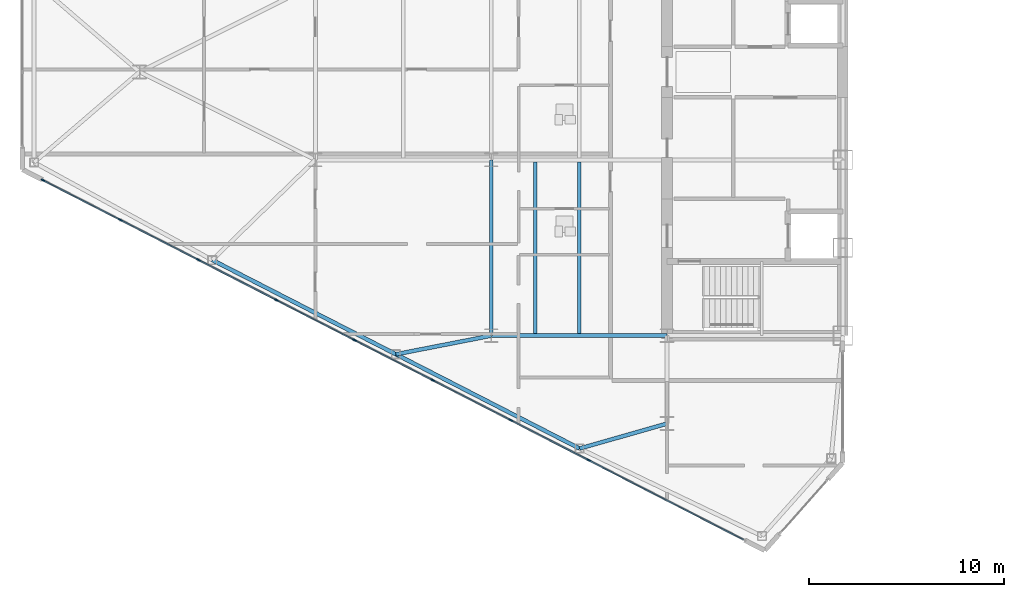
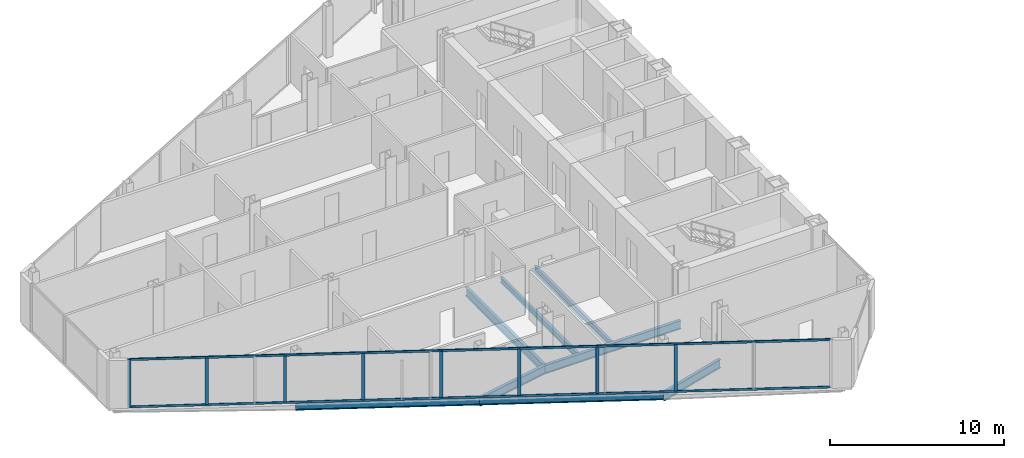
# One storey, part 3 of 23: 10 members, 8 beams, 1 element without a shape of its own.
"""IFC4 building model written with IfcOpenShell, lengths in metres."""

from ifc_helpers import new_model, si_unit, direction, frame, origin, origin_2d, place, context, subcontext, project, spatial, rectangle, i_section, extrude, source, transform, mapped, material, layer, layer_set, material_profile, profile_set, type_object, type_shapes, element, aggregate, save


model = new_model("IFC4")

# Units and contexts
model_context = context("Model", 3, precision=1e-05, world=origin(), true_north=direction((0.0, 1.0)))
body_context = subcontext(model_context, "Body", "Model", "MODEL_VIEW")
ifc_project = project(units=[si_unit("LENGTHUNIT", "METRE"), si_unit("AREAUNIT", "SQUARE_METRE"), si_unit("VOLUMEUNIT", "CUBIC_METRE"), si_unit("PLANEANGLEUNIT", "RADIAN"), si_unit("MASSUNIT", "GRAM", prefix="KILO")], contexts=[model_context])

# Site, building, storey
site_placement = place(None, origin())
site = spatial("IfcSite", under=ifc_project, at=site_placement, CompositionType="ELEMENT")
building_placement = place(site_placement, origin())
building = spatial("IfcBuilding", under=site, at=building_placement, Name="Seokmaru Belvedere", CompositionType="ELEMENT")
storey_placement = place(building_placement, frame((0.0, 0.0, 154.800048828125)))
storey = spatial("IfcBuildingStorey", under=building, at=storey_placement, Name="L41", CompositionType="ELEMENT", Elevation=154.800048828125)

# Beams
ifc_material_1 = material(Name="Steel SM355 (355 MPa)", Category="steel")
ifc_material_profile_1 = material_profile(ifc_material_1, i_section(OverallWidth=0.199951171875, OverallDepth=0.60009765625, WebThickness=0.010986328125, FlangeThickness=0.01708984375, at=origin_2d()), Name="H-600x200x11x17")
ifc_profile_set_1 = profile_set([ifc_material_profile_1], Name="Steel SM355 (355 MPa)")
beam_type_1 = type_object("IfcBeamType", Name="Primary Floor Girder H-600", PredefinedType="BEAM", material=ifc_profile_set_1)
shared_shape_1 = source(origin(), body_context, "Body", "SweptSolid", [
    extrude(i_section(OverallWidth=0.199951171875, OverallDepth=0.60009765625, WebThickness=0.010986328125, FlangeThickness=0.01708984375, at=origin_2d()), origin(), (0.0, 0.0, 1.0), 9.0),
])
for number, where, z_axis, x_axis, name in (
    (1, (-45.5, -13.5, -0.52001953125), (0.0, 1.0, 0.0), (-1.0, 0.0, 0.0), "L41 W Interior Grid Girder 1"),
    (2, (-45.5, -13.5, -0.52001953125), (1.0, 0.0, 0.0), (0.0, 1.0, 0.0), "L41 W Wing Primary Girder 1"),
):
    element("IfcBeam", number, at=place(storey_placement, frame(where, z_axis=z_axis, x_axis=x_axis)), inside=storey, type_object=beam_type_1, Name=name, PredefinedType="BEAM", context=body_context, shape_type="MappedRepresentation", body=[
        mapped(shared_shape_1, transform((0.0, 0.0, 0.0), scale=1.0)),
    ])
ifc_material_profile_2 = material_profile(ifc_material_1, i_section(OverallWidth=0.18505859375, OverallDepth=0.389892578125, WebThickness=0.008056640625, FlangeThickness=0.011962890625, at=origin_2d()), Name="H-390x185x8x12")
ifc_profile_set_2 = profile_set([ifc_material_profile_2], Name="Steel SM355 (355 MPa)")
beam_type_2 = type_object("IfcBeamType", Name="Secondary Floor Joist H-350", PredefinedType="JOIST", material=ifc_profile_set_2)
shared_shape_2 = source(origin(), body_context, "Body", "SweptSolid", [
    extrude(i_section(OverallWidth=0.18505859375, OverallDepth=0.389892578125, WebThickness=0.008056640625, FlangeThickness=0.011962890625, at=origin_2d()), origin(), (0.0, 0.0, 1.0), 8.7900390625),
])
type_shapes(beam_type_2, [shared_shape_2])
for number, where, z_axis, x_axis, name in (
    (3, (-43.25, -13.39501953125, -0.4150390625), (0.0, 1.0, 0.0), (-1.0, 0.0, 0.0), "L41 W Wing Inner Secondary Joist 1"),
    (4, (-41.0, -13.39501953125, -0.4150390625), (0.0, 1.0, 0.0), (-1.0, 0.0, 0.0), "L41 W Secondary Floor Joist 1"),
):
    element("IfcBeam", number, at=place(storey_placement, frame(where, z_axis=z_axis, x_axis=x_axis)), inside=storey, type_object=beam_type_2, Name=name, PredefinedType="JOIST", context=body_context, shape_type="MappedRepresentation", body=[
        mapped(shared_shape_2, transform((0.0, 0.0, 0.0), scale=1.0)),
    ])
ifc_material_profile_3 = material_profile(ifc_material_1, i_section(OverallWidth=0.199951171875, OverallDepth=0.5, WebThickness=0.010009765625, FlangeThickness=0.01611328125, at=origin_2d()), Name="H-500x200x10x16")
ifc_profile_set_3 = profile_set([ifc_material_profile_3], Name="Steel SM355 (355 MPa)")
beam_type_3 = type_object("IfcBeamType", Name="Perimeter Spandrel Beam H-500", PredefinedType="SPANDREL", material=ifc_profile_set_3)
shared_shape_3 = source(origin(), body_context, "Body", "SweptSolid", [
    extrude(i_section(OverallWidth=0.199951171875, OverallDepth=0.5, WebThickness=0.010009765625, FlangeThickness=0.01611328125, at=origin_2d()), origin(), (0.0, 0.0, 1.0), 10.56689453125),
])
type_shapes(beam_type_3, [shared_shape_3])
for number, where, z_axis, x_axis, name in (
    (5, (-40.975830078125, -19.277587890625, -0.469970703125), (-0.889701972758, 0.45654178305, 0.0), (-0.45654178305, -0.889701972758, 0.0), "L41 W Faceted Flank Spandrel S-2"),
    (6, (-50.377197265625, -14.453369140625, -0.469970703125), (-0.889692588006, 0.456560071455, 0.0), (-0.456560071455, -0.889692588006, 0.0), "L41 W Faceted Flank Spandrel S-3"),
):
    element("IfcBeam", number, at=place(storey_placement, frame(where, z_axis=z_axis, x_axis=x_axis)), inside=storey, type_object=beam_type_3, Name=name, PredefinedType="SPANDREL", context=body_context, shape_type="MappedRepresentation", body=[
        mapped(shared_shape_3, transform((0.0, 0.0, 0.0), scale=1.0)),
    ])
shared_shape_4 = source(origin(), body_context, "Body", "SweptSolid", [
    extrude(i_section(OverallWidth=0.199951171875, OverallDepth=0.60009765625, WebThickness=0.010986328125, FlangeThickness=0.01708984375, at=origin_2d()), origin(), (0.0, 0.0, 1.0), 4.654541015625),
])
beam_1_placement = place(storey_placement, frame((-40.975830078125, -19.277587890625, -0.52001953125), z_axis=(0.961593192625, 0.274478654721, 0.0), x_axis=(-0.274478654721, 0.961593192625, 0.0)))
element("IfcBeam", 7, at=beam_1_placement, inside=storey, type_object=beam_type_1, Name="L41 W Flank Radial Floor Girder S-1", PredefinedType="BEAM", context=body_context, shape_type="MappedRepresentation", body=[
    mapped(shared_shape_4, transform((0.0, 0.0, 0.0), scale=1.0)),
])
shared_shape_5 = source(origin(), body_context, "Body", "SweptSolid", [
    extrude(i_section(OverallWidth=0.199951171875, OverallDepth=0.60009765625, WebThickness=0.010986328125, FlangeThickness=0.01708984375, at=origin_2d()), origin(), (0.0, 0.0, 1.0), 4.969482421875),
])
type_shapes(beam_type_1, [shared_shape_1, shared_shape_4, shared_shape_5])
beam_2_placement = place(storey_placement, frame((-50.377197265625, -14.453369140625, -0.52001953125), z_axis=(0.98142544456, 0.19184393858, 0.0), x_axis=(-0.19184393858, 0.98142544456, 0.0)))
element("IfcBeam", 8, at=beam_2_placement, inside=storey, type_object=beam_type_1, Name="L41 W Flank Radial Floor Girder S-2", PredefinedType="BEAM", context=body_context, shape_type="MappedRepresentation", body=[
    mapped(shared_shape_5, transform((0.0, 0.0, 0.0), scale=1.0)),
])

# Curtain wall, members
ifc_material_2 = material(Name="Bronze Triple Insulating Glass", Category="glass")
ifc_layer = layer(ifc_material_2, 0.195068359375)
ifc_layer_set = layer_set([ifc_layer], Name="Bronze Triple Insulating Glass")
curtain_wall_type = type_object("IfcCurtainWallType", Name="Sky-Lobby and Mid-Rise Curtain Wall System CW-4", PredefinedType="NOTDEFINED", material=ifc_layer_set)
curtain_wall_placement = place(storey_placement, origin())
curtain_wall = element("IfcCurtainWall", 9, at=curtain_wall_placement, inside=storey, type_object=curtain_wall_type, Name="L41 Curtain Wall WF5", PredefinedType="NOTDEFINED")
ifc_material_3 = material(Name="Anodised Bronze Aluminium", Category="aluminium")
ifc_material_profile_4 = material_profile(ifc_material_3, rectangle(XDim=0.070068359375, YDim=0.195068359375, at=origin_2d()), Name="CW-M-70x195")
ifc_profile_set_4 = profile_set([ifc_material_profile_4], Name="Anodised Bronze Aluminium")
member_type_1 = type_object("IfcMemberType", Name="Bronze Unitised Mullion 70x195", PredefinedType="MULLION", material=ifc_profile_set_4)
shared_shape_6 = source(origin(), body_context, "Body", "SweptSolid", [
    extrude(rectangle(XDim=0.070068359375, YDim=0.195068359375, at=origin_2d()), origin(), (0.0, 0.0, 1.0), 3.3798828125),
])
member_1_placement = place(storey_placement, frame((-68.44580078125, -5.541015625, 0.0), z_axis=(0.0, 0.0, 1.0), x_axis=(0.456554528263, 0.889695432562, 0.0)))
member_1 = element("IfcMember", 10, at=member_1_placement, type_object=member_type_1, Name="CW:L41:WF5 Mullion 1", PredefinedType="MULLION", context=body_context, shape_type="MappedRepresentation", body=[
    mapped(shared_shape_6, transform((0.0, 0.0, 0.0), scale=1.0)),
])
shared_shape_7 = source(origin(), body_context, "Body", "SweptSolid", [
    extrude(rectangle(XDim=0.070068359375, YDim=0.195068359375, at=origin_2d()), origin(), (0.0, 0.0, 1.0), 3.25),
])
type_shapes(member_type_1, [shared_shape_6, shared_shape_7])
member_2_placement = place(storey_placement, frame((-64.48193359375, -7.574951171875, 0.06494140625), z_axis=(0.0, 0.0, 1.0), x_axis=(0.456554528263, 0.889695432562, 0.0)))
member_2 = element("IfcMember", 11, at=member_2_placement, type_object=member_type_1, Name="CW:L41:WF5 Mullion 2", PredefinedType="MULLION", context=body_context, shape_type="MappedRepresentation", body=[
    mapped(shared_shape_7, transform((0.0, 0.0, 0.0), scale=1.0)),
])
member_3_placement = place(storey_placement, frame((-60.4873046875, -9.625, 0.06494140625), z_axis=(0.0, 0.0, 1.0), x_axis=(0.456554528263, 0.889695432562, 0.0)))
member_3 = element("IfcMember", 12, at=member_3_placement, type_object=member_type_1, Name="CW:L41:WF5 Mullion 3", PredefinedType="MULLION", context=body_context, shape_type="MappedRepresentation", body=[
    mapped(shared_shape_7, transform((0.0, 0.0, 0.0), scale=1.0)),
])
member_4_placement = place(storey_placement, frame((-56.4921875, -11.675048828125, 0.06494140625), z_axis=(0.0, 0.0, 1.0), x_axis=(0.456554528263, 0.889695432562, 0.0)))
member_4 = element("IfcMember", 13, at=member_4_placement, type_object=member_type_1, Name="CW:L41:WF5 Mullion 4", PredefinedType="MULLION", context=body_context, shape_type="MappedRepresentation", body=[
    mapped(shared_shape_7, transform((0.0, 0.0, 0.0), scale=1.0)),
])
member_5_placement = place(storey_placement, frame((-52.497314453125, -13.72509765625, 0.06494140625), z_axis=(0.0, 0.0, 1.0), x_axis=(0.456554528263, 0.889695432562, 0.0)))
member_5 = element("IfcMember", 14, at=member_5_placement, type_object=member_type_1, Name="CW:L41:WF5 Mullion 5", PredefinedType="MULLION", context=body_context, shape_type="MappedRepresentation", body=[
    mapped(shared_shape_7, transform((0.0, 0.0, 0.0), scale=1.0)),
])
member_6_placement = place(storey_placement, frame((-48.502685546875, -15.77490234375, 0.06494140625), z_axis=(0.0, 0.0, 1.0), x_axis=(0.456554528263, 0.889695432562, 0.0)))
member_6 = element("IfcMember", 15, at=member_6_placement, type_object=member_type_1, Name="CW:L41:WF5 Mullion 6", PredefinedType="MULLION", context=body_context, shape_type="MappedRepresentation", body=[
    mapped(shared_shape_7, transform((0.0, 0.0, 0.0), scale=1.0)),
])
member_7_placement = place(storey_placement, frame((-44.5078125, -17.824951171875, 0.06494140625), z_axis=(0.0, 0.0, 1.0), x_axis=(0.456554528263, 0.889695432562, 0.0)))
member_7 = element("IfcMember", 16, at=member_7_placement, type_object=member_type_1, Name="CW:L41:WF5 Mullion 7", PredefinedType="MULLION", context=body_context, shape_type="MappedRepresentation", body=[
    mapped(shared_shape_7, transform((0.0, 0.0, 0.0), scale=1.0)),
])
member_8_placement = place(storey_placement, frame((-40.5126953125, -19.875, 0.06494140625), z_axis=(0.0, 0.0, 1.0), x_axis=(0.456554528263, 0.889695432562, 0.0)))
member_8 = element("IfcMember", 17, at=member_8_placement, type_object=member_type_1, Name="CW:L41:WF5 Mullion 8", PredefinedType="MULLION", context=body_context, shape_type="MappedRepresentation", body=[
    mapped(shared_shape_7, transform((0.0, 0.0, 0.0), scale=1.0)),
])
ifc_material_profile_5 = material_profile(ifc_material_3, rectangle(XDim=0.06494140625, YDim=0.14990234375, at=origin_2d()), Name="CW-T-65x150")
ifc_profile_set_5 = profile_set([ifc_material_profile_5], Name="Anodised Bronze Aluminium")
member_type_2 = type_object("IfcMemberType", Name="Bronze Unitised Transom 65x150", PredefinedType="USERDEFINED", material=ifc_profile_set_5)
shared_shape_8 = source(origin(), body_context, "Body", "SweptSolid", [
    extrude(rectangle(XDim=0.06494140625, YDim=0.14990234375, at=origin_2d()), origin(), (0.0, 0.0, 1.0), 40.271240234375),
])
type_shapes(member_type_2, [shared_shape_8])
member_9_placement = place(storey_placement, frame((-68.41455078125, -5.556884765625, 0.032470703125), z_axis=(0.889693089107, -0.456559094965, 0.0), x_axis=(0.456559094965, 0.889693089107, 0.0)))
member_9 = element("IfcMember", 18, at=member_9_placement, type_object=member_type_2, Name="CW:L41:WF5 Continuous Transom 1", ObjectType="TRANSOM", PredefinedType="USERDEFINED", context=body_context, shape_type="MappedRepresentation", body=[
    mapped(shared_shape_8, transform((0.0, 0.0, 0.0), scale=1.0)),
])
member_10_placement = place(storey_placement, frame((-68.41455078125, -5.556884765625, 3.347412109375), z_axis=(0.889693089107, -0.456559094965, 0.0), x_axis=(0.456559094965, 0.889693089107, 0.0)))
member_10 = element("IfcMember", 19, at=member_10_placement, type_object=member_type_2, Name="CW:L41:WF5 Continuous Transom 2", ObjectType="TRANSOM", PredefinedType="USERDEFINED", context=body_context, shape_type="MappedRepresentation", body=[
    mapped(shared_shape_8, transform((0.0, 0.0, 0.0), scale=1.0)),
])
aggregate(curtain_wall, [member_1, member_2, member_3, member_4, member_5, member_6, member_7, member_8, member_9, member_10])

save(model, "model.ifc")
